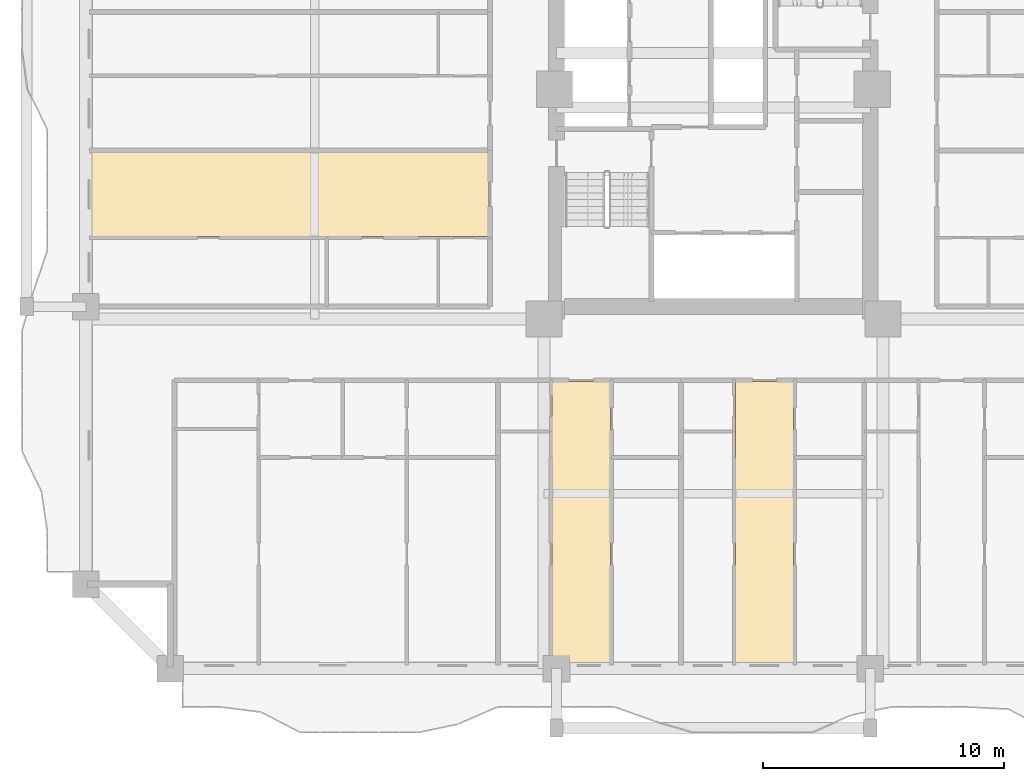
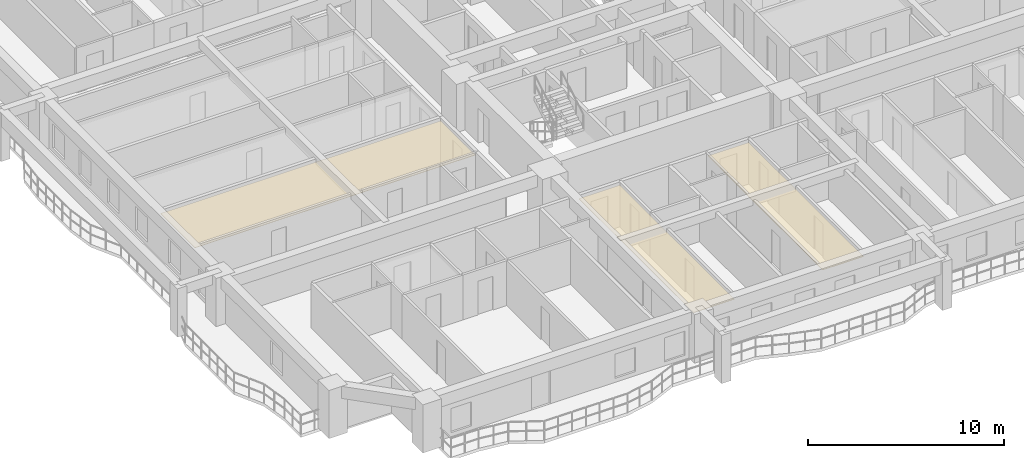
# One storey, part 12 of 16: 3 coverings.
"""IFC4 building model written with IfcOpenShell, lengths in metres."""

from ifc_helpers import new_model, si_unit, direction, frame, origin, place, context, subcontext, project, spatial, polyline, outline, extrude, material, layer, layer_set, type_object, element, save


model = new_model("IFC4")

# Units and contexts
model_context = context("Model", 3, precision=1e-05, world=origin(), true_north=direction((0.0, 1.0)))
body_context = subcontext(model_context, "Body", "Model", "MODEL_VIEW")
ifc_project = project(units=[si_unit("LENGTHUNIT", "METRE"), si_unit("AREAUNIT", "SQUARE_METRE"), si_unit("VOLUMEUNIT", "CUBIC_METRE"), si_unit("PLANEANGLEUNIT", "RADIAN"), si_unit("MASSUNIT", "GRAM", prefix="KILO")], contexts=[model_context])

# Site, building, storey
site_placement = place(None, origin())
site = spatial("IfcSite", under=ifc_project, at=site_placement, CompositionType="ELEMENT")
building_placement = place(site_placement, origin())
building = spatial("IfcBuilding", under=site, at=building_placement, Name="Saelheon Loggia Tower", CompositionType="ELEMENT")
storey_placement = place(building_placement, frame((0.0, 0.0, 58.39990234375)))
storey = spatial("IfcBuildingStorey", under=building, at=storey_placement, Name="L18", CompositionType="ELEMENT", Elevation=58.39990234375)

# Coverings
ifc_material = material(Name="Mineral-Fibre Acoustic Ceiling Board", Category="gypsum")
ifc_layer = layer(ifc_material, 0.02490234375)
ifc_layer_set = layer_set([ifc_layer], Name="Mineral-Fibre Acoustic Ceiling Board")
covering_type = type_object("IfcCoveringType", Name="Cov_Ceiling_Acoustic", PredefinedType="CEILING", material=ifc_layer_set)
covering_1_placement = place(storey_placement, frame((0.0, 0.0, 2.53515625)))
element("IfcCovering", 1, at=covering_1_placement, inside=storey, type_object=covering_type, Name="L18 Acoustic Suspended Ceiling", PredefinedType="CEILING", context=body_context, shape_type="SweptSolid", body=[
    extrude(outline(polyline([(31.322021484375, 3.199951171875), (33.72705078125, 3.199951171875), (33.72705078125, 14.89990234375), (31.322021484375, 14.89990234375), (31.322021484375, 3.199951171875)])), origin(), (0.0, 0.0, 1.0), 0.02490234375),
])
covering_2_placement = place(storey_placement, frame((0.0, 0.0, 2.53515625)))
element("IfcCovering", 2, at=covering_2_placement, inside=storey, type_object=covering_type, Name="L18 Acoustic Suspended Ceiling", PredefinedType="CEILING", context=body_context, shape_type="SweptSolid", body=[
    extrude(outline(polyline([(38.910888671875, 3.199951171875), (41.31591796875, 3.199951171875), (41.31591796875, 14.89990234375), (38.910888671875, 14.89990234375), (38.910888671875, 3.199951171875)])), origin(), (0.0, 0.0, 1.0), 0.02490234375),
])
covering_3_placement = place(storey_placement, frame((0.0, 0.0, 2.53515625)))
element("IfcCovering", 3, at=covering_3_placement, inside=storey, type_object=covering_type, Name="L18 Acoustic Suspended Ceiling", PredefinedType="CEILING", context=body_context, shape_type="SweptSolid", body=[
    extrude(outline(polyline([(12.199951171875, 20.89990234375), (28.699951171875, 20.89990234375), (28.699951171875, 24.412109375), (12.199951171875, 24.412109375), (12.199951171875, 20.89990234375)])), origin(), (0.0, 0.0, 1.0), 0.02490234375),
])

save(model, "model.ifc")
